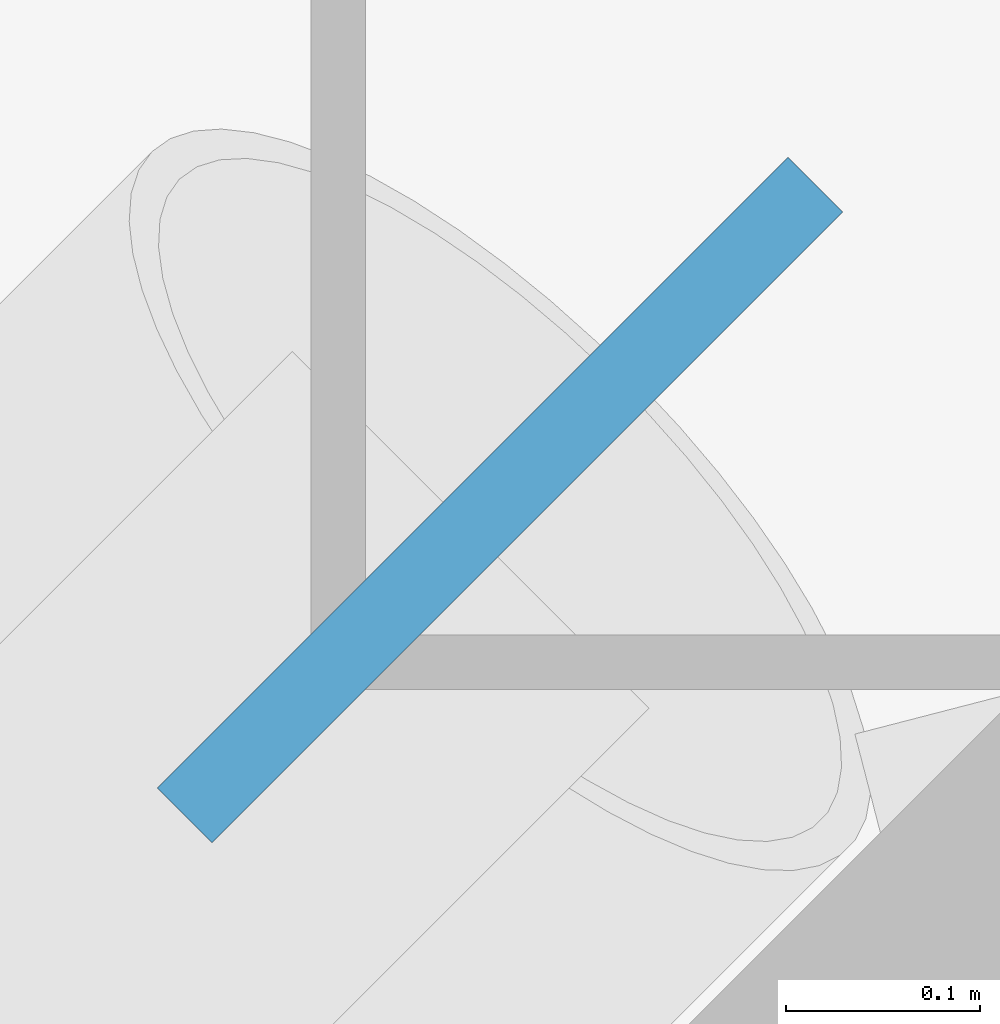
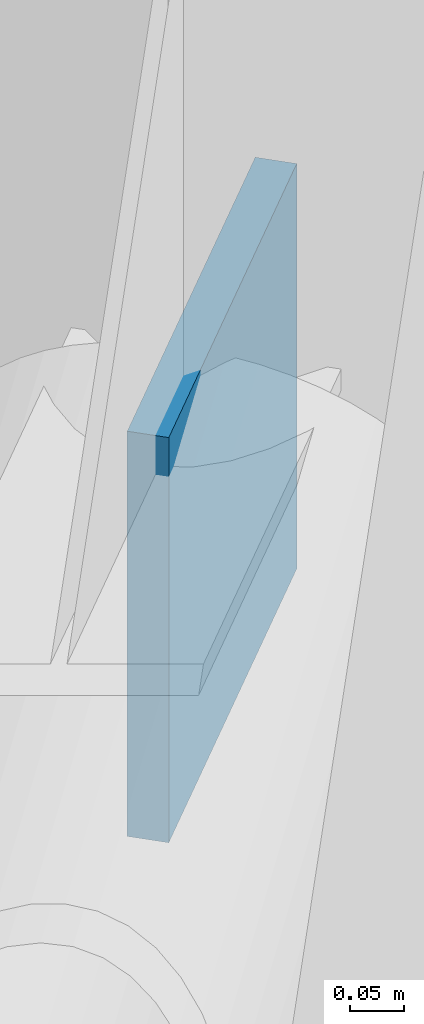
# One storey, part 16 of 18: 1 discrete accessory.
"""IFC4 building model written with IfcOpenShell, lengths in metres."""

import ifcopenshell
import ifcopenshell.guid

model = None  # the IFC model being written
_history = None  # IfcOwnerHistory: only IFC2X3 demands one
_inside = {}  # id of a spatial element -> (the spatial element, [elements in it])
_under = {}  # id of a project, library or spatial element -> (it, [spatial elements below it])
_declared = {}  # id of a project -> (the project, [libraries it declares])
_typed = {}  # id of a type object -> (the type object, [elements of that type])
_made_of = {}  # id of a material, layer set ... -> (it, [elements and type objects made of it])


def new_model(schema):
    """Start an empty IFC model of exactly this schema.

    Asked for "IFC4X3", IfcOpenShell would pick the latest addendum, in which some entities
    have other attributes; the version numbers below select the first issue.
    IFC2X3 requires an IfcOwnerHistory on every rooted entity: one is made here for all.
    """
    global model, _history
    if schema == "IFC4X3":
        model = ifcopenshell.file(schema_version=(4, 3, 0, 0))
    else:
        model = ifcopenshell.file(schema=schema)
    _inside.clear()
    _under.clear()
    _declared.clear()
    _typed.clear()
    _made_of.clear()
    _history = None
    if model.schema == "IFC2X3":
        org = make("IfcOrganization", Name="unknown")
        user = make(
            "IfcPersonAndOrganization",
            ThePerson=make("IfcPerson", FamilyName="unknown"),
            TheOrganization=org,
        )
        app = make(
            "IfcApplication",
            ApplicationDeveloper=org,
            Version="unknown",
            ApplicationFullName="unknown",
            ApplicationIdentifier="unknown",
        )
        _history = make(
            "IfcOwnerHistory",
            OwningUser=user,
            OwningApplication=app,
            ChangeAction="ADDED",
            CreationDate=0,
        )
    return model


def make(cls, **values):
    """One entity of the class cls with the attributes given. An attribute that is None is left unset."""
    return model.create_entity(
        cls, **{name: value for name, value in values.items() if value is not None}
    )


def rooted(cls, **values):
    """An entity with a GlobalId (a new one), such as an element, a storey or a relation."""
    return make(cls, GlobalId=ifcopenshell.guid.new(), OwnerHistory=_history, **values)


def si_unit(unit_type, name, prefix=None):
    """IfcSIUnit, for example si_unit("LENGTHUNIT", "METRE", prefix="MILLI")."""
    return make("IfcSIUnit", UnitType=unit_type, Prefix=prefix, Name=name)


def assignment(units):
    """IfcUnitAssignment: the units of a project."""
    return None if units is None else make("IfcUnitAssignment", Units=units)


def point(xyz):
    """IfcCartesianPoint."""
    return None if xyz is None else make("IfcCartesianPoint", Coordinates=xyz)


def direction(xyz):
    """IfcDirection."""
    return None if xyz is None else make("IfcDirection", DirectionRatios=xyz)


def frame(location, z_axis=None, x_axis=None):
    """IfcAxis2Placement3D, a coordinate frame: its origin and axes. An axis left out is left unset."""
    return make(
        "IfcAxis2Placement3D",
        Location=point(location),
        Axis=direction(z_axis),
        RefDirection=direction(x_axis),
    )


def frame_2d(location, x_axis=None):
    """IfcAxis2Placement2D, a coordinate frame in the plane: its origin and x axis."""
    return make(
        "IfcAxis2Placement2D", Location=point(location), RefDirection=direction(x_axis)
    )


def origin():
    """The frame at (0, 0, 0) with its axes left unset."""
    return frame((0.0, 0.0, 0.0))


def origin_2d():
    """The frame at (0, 0) in the plane with its x axis left unset."""
    return frame_2d((0.0, 0.0))


def place(relative_to, where):
    """IfcLocalPlacement: puts the frame where relative to a parent placement (None: the world)."""
    return make(
        "IfcLocalPlacement", PlacementRelTo=relative_to, RelativePlacement=where
    )


def context(
    kind, dimensions, precision=None, world=None, true_north=None, identifier=None
):
    """IfcGeometricRepresentationContext, for example the 3D "Model" context."""
    return make(
        "IfcGeometricRepresentationContext",
        ContextIdentifier=identifier,
        ContextType=kind,
        CoordinateSpaceDimension=dimensions,
        Precision=precision,
        WorldCoordinateSystem=world,
        TrueNorth=true_north,
    )


def subcontext(parent, identifier, kind, view, scale=None):
    """IfcGeometricRepresentationSubContext, for example "Body" below "Model"."""
    return make(
        "IfcGeometricRepresentationSubContext",
        ContextIdentifier=identifier,
        ContextType=kind,
        ParentContext=parent,
        TargetScale=scale,
        TargetView=view,
    )


def project(units=None, contexts=None):
    """IfcProject with its units and contexts."""
    return rooted(
        "IfcProject",
        Name="project",
        RepresentationContexts=contexts,
        UnitsInContext=assignment(units),
    )


def spatial(cls, under=None, at=None, **own):
    """A site, building, storey or space (cls), placed at a placement, below another one or the project."""
    s = rooted(cls, ObjectPlacement=at, **own)
    if under is not None:
        _under.setdefault(under.id(), (under, []))[1].append(s)
    return s


def profile(cls, at=None, kind="AREA", **sizes):
    """A parametric profile (cls). Its sizes go by their IFC names, for example OverallWidth=200.0."""
    return make(cls, ProfileType=kind, Position=at, **sizes)


def rectangle(**sizes):
    """IfcRectangleProfileDef."""
    return profile("IfcRectangleProfileDef", **sizes)


def extrude(swept, where, along, depth):
    """IfcExtrudedAreaSolid: the profile swept, set in the frame where, extruded along a direction by depth."""
    return make(
        "IfcExtrudedAreaSolid",
        SweptArea=swept,
        Position=where,
        ExtrudedDirection=direction(along),
        Depth=depth,
    )


def shape(context_of_items, identifier, shape_type, items):
    """IfcShapeRepresentation: the items that make up one representation, for example the "Body"."""
    return make(
        "IfcShapeRepresentation",
        ContextOfItems=context_of_items,
        RepresentationIdentifier=identifier,
        RepresentationType=shape_type,
        Items=items,
    )


def material(Name=None, Category=None):
    """IfcMaterial."""
    return make("IfcMaterial", Name=Name, Category=Category)


def made_of(thing, what):
    """Note that an element or type object is made of a material, layer set ...; save() writes the relation."""
    if what is not None:
        _made_of.setdefault(what.id(), (what, []))[1].append(thing)
    return thing


def type_object(cls, material=None, **own):
    """A type object (cls), such as IfcWallType, which elements share."""
    return made_of(rooted(cls, **own), material)


def element(
    cls,
    number,
    at=None,
    inside=None,
    cuts=None,
    type_object=None,
    material=None,
    context=None,
    identifier="Body",
    shape_type=None,
    held_by="IfcProductDefinitionShape",
    body=None,
    shapes=None,
    **own,
):
    """One element of the class cls, such as IfcWall. Its Tag is "e" and its number.

    at: its placement. inside: the storey or other place that contains it. cuts: it is an
    opening in that element (IfcRelVoidsElement). A single representation is given by context,
    identifier, shape_type and body (its items); several are given by shapes. held_by: the class
    of the entity that holds the representations. save() writes the other relations.
    """
    e = rooted(cls, Tag="e%d" % number, ObjectPlacement=at, **own)
    if body is not None:
        shapes = [shape(context, identifier, shape_type, body)]
    if shapes is not None:
        e.Representation = make(held_by, Representations=shapes)
    if inside is not None:
        _inside.setdefault(inside.id(), (inside, []))[1].append(e)
    if cuts is not None:
        rooted(
            "IfcRelVoidsElement", RelatingBuildingElement=cuts, RelatedOpeningElement=e
        )
    if type_object is not None:
        _typed.setdefault(type_object.id(), (type_object, []))[1].append(e)
    return made_of(e, material)


def aggregate(whole, parts):
    """IfcRelAggregates: a whole, such as a stair, and the parts it consists of."""
    return rooted("IfcRelAggregates", RelatingObject=whole, RelatedObjects=parts)


def save(model, path):
    """Write the relations noted so far, then the file.

    IfcRelAggregates (storeys below a building ...), IfcRelContainedInSpatialStructure (elements
    in a storey), IfcRelDefinesByType, IfcRelAssociatesMaterial and IfcRelDeclares: one each for
    every whole, place, type object, material and project.
    """
    for whole, parts in _under.values():
        aggregate(whole, parts)
    for where, things in _inside.values():
        rooted(
            "IfcRelContainedInSpatialStructure",
            RelatedElements=things,
            RelatingStructure=where,
        )
    for kind, things in _typed.values():
        rooted("IfcRelDefinesByType", RelatedObjects=things, RelatingType=kind)
    for what, things in _made_of.values():
        rooted("IfcRelAssociatesMaterial", RelatedObjects=things, RelatingMaterial=what)
    for by, libraries in _declared.values():
        rooted("IfcRelDeclares", RelatingContext=by, RelatedDefinitions=libraries)
    model.write(path)


model = new_model("IFC4")

# Units and contexts
model_context = context("Model", 3, precision=1e-05, world=origin(), true_north=direction((0.0, 1.0)))
body_context = subcontext(model_context, "Body", "Model", "MODEL_VIEW")
ifc_project = project(units=[si_unit("LENGTHUNIT", "METRE"), si_unit("AREAUNIT", "SQUARE_METRE"), si_unit("VOLUMEUNIT", "CUBIC_METRE"), si_unit("PLANEANGLEUNIT", "RADIAN"), si_unit("MASSUNIT", "GRAM", prefix="KILO")], contexts=[model_context])

# Site, building, storey
site_placement = place(None, origin())
site = spatial("IfcSite", under=ifc_project, at=site_placement, CompositionType="ELEMENT")
building_placement = place(site_placement, origin())
building = spatial("IfcBuilding", under=site, at=building_placement, Name="Tavrogorsk Clinical Tower", CompositionType="ELEMENT")
storey_placement = place(building_placement, frame((0.0, 0.0, 180.199951171875)))
storey = spatial("IfcBuildingStorey", under=building, at=storey_placement, Name="L41", CompositionType="ELEMENT", Elevation=180.199951171875)

# Discrete accessory
ifc_material = material(Name="Structural steel S440", Category="steel")
discrete_accessory_type = type_object("IfcDiscreteAccessoryType", Name="GussetPlateBracket_25", PredefinedType="BRACKET", material=ifc_material)
discrete_accessory_placement = place(storey_placement, frame((-28.12255859375, 26.217529296875, 2.7470703125), z_axis=(0.0, 0.0, 1.0), x_axis=(0.707106781187, 0.707106781187, 0.0)))
element("IfcDiscreteAccessory", 1, at=discrete_accessory_placement, inside=storey, type_object=discrete_accessory_type, Name="L41 Brace Gusset Plate EXOCRN-L41-3-B", PredefinedType="BRACKET", context=body_context, shape_type="SweptSolid", body=[
    extrude(rectangle(XDim=0.4599609375, YDim=0.0400390625, at=origin_2d()), origin(), (0.0, 0.0, 1.0), 0.4599609375),
])

save(model, "model.ifc")
